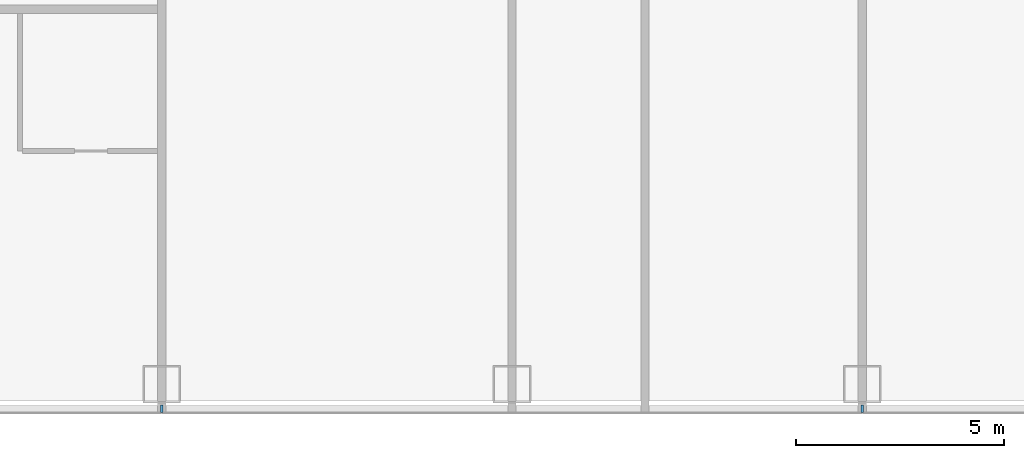
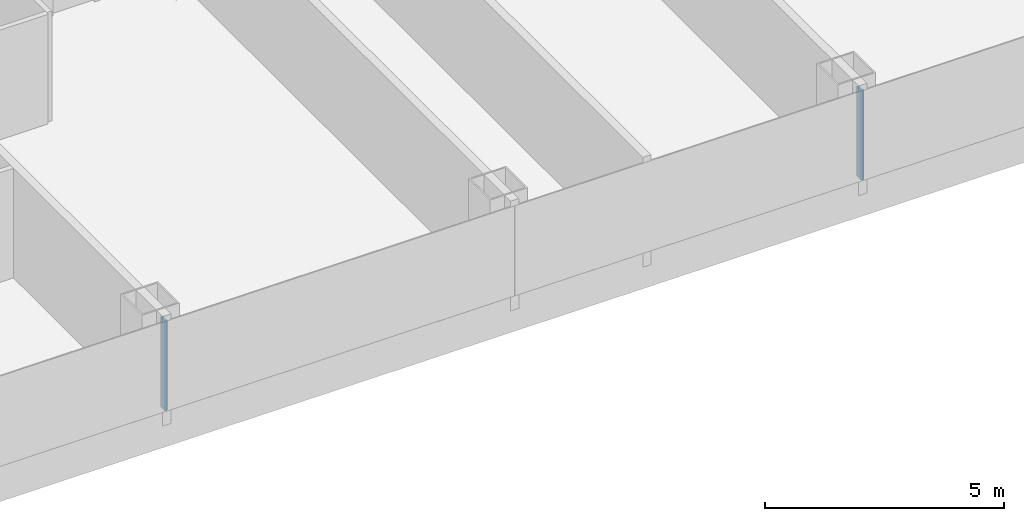
# One storey, part 4 of 28: 2 members, 1 element without a shape of its own.
"""IFC4 building model written with IfcOpenShell, lengths in metres."""

from ifc_helpers import new_model, si_unit, direction, frame, origin, origin_2d, place, context, subcontext, project, spatial, rectangle, extrude, material, layer, layer_set, material_profile, profile_set, type_object, element, aggregate, save


model = new_model("IFC4")

# Units and contexts
model_context = context("Model", 3, precision=1e-05, world=origin(), true_north=direction((0.0, 1.0)))
body_context = subcontext(model_context, "Body", "Model", "MODEL_VIEW")
ifc_project = project(units=[si_unit("LENGTHUNIT", "METRE"), si_unit("AREAUNIT", "SQUARE_METRE"), si_unit("VOLUMEUNIT", "CUBIC_METRE"), si_unit("PLANEANGLEUNIT", "RADIAN"), si_unit("MASSUNIT", "GRAM", prefix="KILO")], contexts=[model_context])

# Site, building, storey
site_placement = place(None, origin())
site = spatial("IfcSite", under=ifc_project, at=site_placement, CompositionType="ELEMENT")
building_placement = place(site_placement, origin())
building = spatial("IfcBuilding", under=site, at=building_placement, Name="Hakoniwa Tower and Hamabe Station Hall", CompositionType="ELEMENT")
storey_placement = place(building_placement, frame((0.0, 0.0, 35.800048828125)))
storey = spatial("IfcBuildingStorey", under=building, at=storey_placement, Name="L09", CompositionType="ELEMENT", Elevation=35.800048828125)

# Curtain wall, members
ifc_material_1 = material(Name="Dark low-e laminated glass", Category="glass")
ifc_layer = layer(ifc_material_1, 0.199951171875)
ifc_layer_set = layer_set([ifc_layer], Name="CW-1 UNITISED GUEST")
curtain_wall_type = type_object("IfcCurtainWallType", Name="CW-1 UNITISED GUEST", PredefinedType="NOTDEFINED", material=ifc_layer_set)
curtain_wall_placement = place(storey_placement, origin())
curtain_wall = element("IfcCurtainWall", 1, at=curtain_wall_placement, inside=storey, type_object=curtain_wall_type, Name="CW-1 curtain wall", PredefinedType="NOTDEFINED")
ifc_material_2 = material(Name="Aluminium 6063-T5 black anodised", Category="aluminium")
ifc_material_profile = material_profile(ifc_material_2, rectangle(XDim=0.06005859375, YDim=0.179931640625, at=origin_2d()), Name="CW-1 MULLION 60X180")
ifc_profile_set = profile_set([ifc_material_profile], Name="Aluminium 6063-T5 black anodised")
member_type = type_object("IfcMemberType", Name="CW-1 MULLION 60X180", PredefinedType="MULLION", material=ifc_profile_set)
member_1_placement = place(storey_placement, frame((-16.800048828125, -20.181884765625, 0.349853515625), z_axis=(0.0, 0.0, 1.0), x_axis=(1.0, 0.0, 0.0)))
member_1 = element("IfcMember", 2, at=member_1_placement, type_object=member_type, Name="CW-1 mullion", PredefinedType="MULLION", context=body_context, shape_type="SweptSolid", body=[
    extrude(rectangle(XDim=0.06005859375, YDim=0.179931640625, at=origin_2d()), origin(), (0.0, 0.0, 1.0), 2.300048828125),
])
member_2_placement = place(storey_placement, frame((0.0, -20.181884765625, 0.349853515625), z_axis=(0.0, 0.0, 1.0), x_axis=(1.0, 0.0, 0.0)))
member_2 = element("IfcMember", 3, at=member_2_placement, type_object=member_type, Name="CW-1 mullion", PredefinedType="MULLION", context=body_context, shape_type="SweptSolid", body=[
    extrude(rectangle(XDim=0.06005859375, YDim=0.179931640625, at=origin_2d()), origin(), (0.0, 0.0, 1.0), 2.300048828125),
])
aggregate(curtain_wall, [member_1, member_2])

save(model, "model.ifc")
